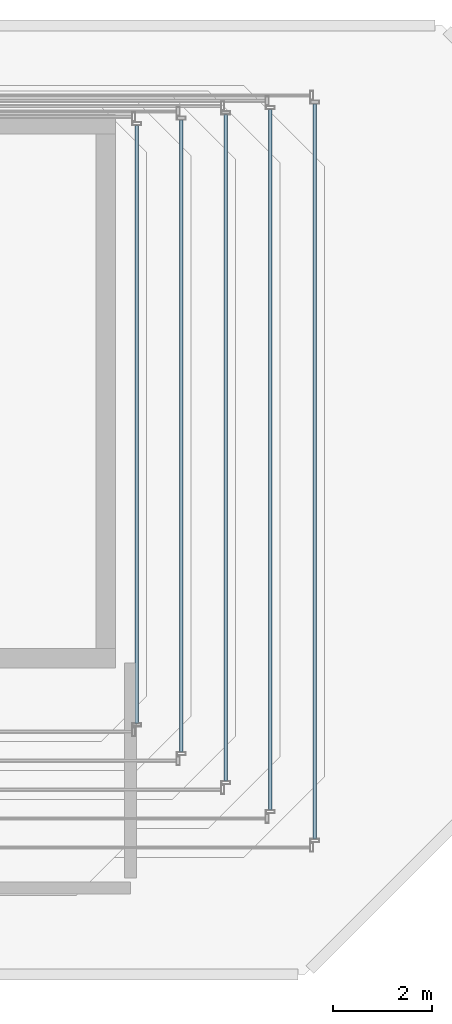
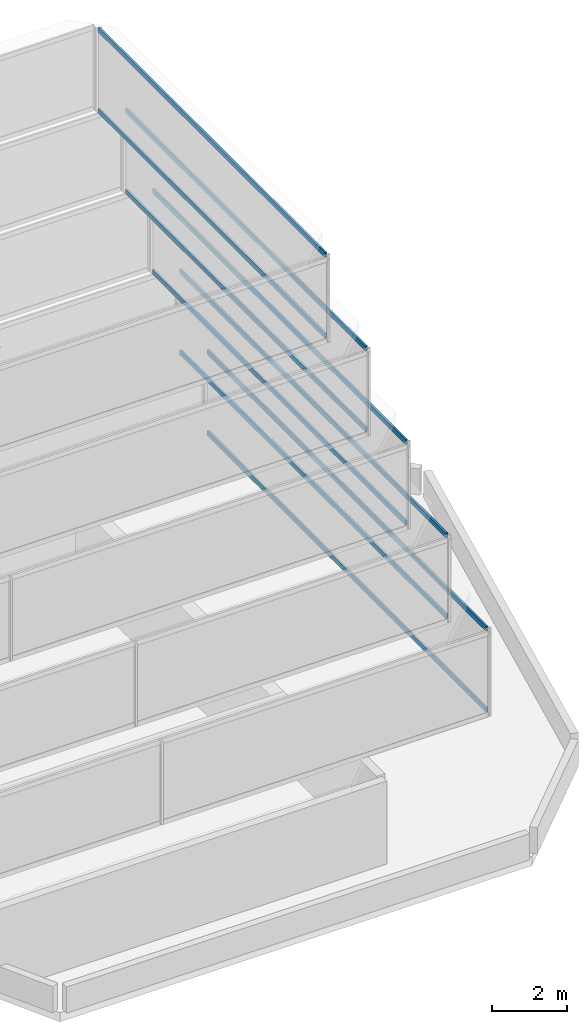
# One storey, part 23 of 29: 10 members, 5 elements without a shape of their own.
"""IFC4 building model written with IfcOpenShell, lengths in metres."""

from ifc_helpers import new_model, si_unit, direction, frame, origin, origin_2d, place, context, subcontext, project, spatial, hollow_rectangle, extrude, material, material_profile, profile_set, type_object, element, aggregate, save


model = new_model("IFC4")

# Units and contexts
model_context = context("Model", 3, precision=1e-05, world=origin(), true_north=direction((0.0, 1.0)))
body_context = subcontext(model_context, "Body", "Model", "MODEL_VIEW")
ifc_project = project(units=[si_unit("LENGTHUNIT", "METRE"), si_unit("AREAUNIT", "SQUARE_METRE"), si_unit("VOLUMEUNIT", "CUBIC_METRE"), si_unit("PLANEANGLEUNIT", "RADIAN"), si_unit("MASSUNIT", "GRAM", prefix="KILO")], contexts=[model_context])

# Site, building, storey
site_placement = place(None, origin())
site = spatial("IfcSite", under=ifc_project, at=site_placement, CompositionType="ELEMENT")
building_placement = place(site_placement, origin())
building = spatial("IfcBuilding", under=site, at=building_placement, Name="Saevonmaru Cultural Tower", CompositionType="ELEMENT")
storey_placement = place(building_placement, frame((0.0, 0.0, 327.60009765625)))
storey = spatial("IfcBuildingStorey", under=building, at=storey_placement, Name="RF", CompositionType="ELEMENT", Elevation=327.60009765625)

# Curtain wall, members
ifc_material = material(Name="Satin Bronze Anodised Aluminium", Category="aluminium")
curtain_wall_type = type_object("IfcCurtainWallType", Name="CW-TYP-B", PredefinedType="NOTDEFINED", material=ifc_material)
curtain_wall_1_placement = place(storey_placement, origin())
curtain_wall_1 = element("IfcCurtainWall", 1, at=curtain_wall_1_placement, inside=storey, type_object=curtain_wall_type, Name="RF Ziggurat Crown Tier 2 Bronze Louvre Screen 2", PredefinedType="NOTDEFINED")
ifc_material_profile = material_profile(ifc_material, hollow_rectangle(XDim=0.06494140625, YDim=0.14990234375, WallThickness=0.00390625, at=origin_2d()), Name="ALU-TRAN-150x65x4")
ifc_profile_set = profile_set([ifc_material_profile], Name="Satin Bronze Anodised Aluminium")
member_type = type_object("IfcMemberType", Name="TR-CW-150x65", PredefinedType="USERDEFINED", material=ifc_profile_set)
member_1_placement = place(storey_placement, frame((50.22705078125, 39.54248046875, 3.032470703125), z_axis=(0.0, 1.0, 0.0), x_axis=(-1.0, 0.0, 0.0)))
member_1 = element("IfcMember", 2, at=member_1_placement, type_object=member_type, Name="CW-CROWN-T2-2 transom 1.1", ObjectType="TRANSOM", PredefinedType="USERDEFINED", context=body_context, shape_type="SweptSolid", body=[
    extrude(hollow_rectangle(XDim=0.06494140625, YDim=0.14990234375, WallThickness=0.00390625, at=origin_2d()), origin(), (0.0, 0.0, 1.0), 14.869140625),
])
member_2_placement = place(storey_placement, frame((50.22705078125, 39.54248046875, 5.66748046875), z_axis=(0.0, 1.0, 0.0), x_axis=(-1.0, 0.0, 0.0)))
member_2 = element("IfcMember", 3, at=member_2_placement, type_object=member_type, Name="CW-CROWN-T2-2 transom 1.2", ObjectType="TRANSOM", PredefinedType="USERDEFINED", context=body_context, shape_type="SweptSolid", body=[
    extrude(hollow_rectangle(XDim=0.06494140625, YDim=0.14990234375, WallThickness=0.00390625, at=origin_2d()), origin(), (0.0, 0.0, 1.0), 14.869140625),
])
aggregate(curtain_wall_1, [member_1, member_2])

curtain_wall_2_placement = place(storey_placement, origin())
curtain_wall_2 = element("IfcCurtainWall", 4, at=curtain_wall_2_placement, inside=storey, type_object=curtain_wall_type, Name="RF Ziggurat Crown Tier 3 Bronze Louvre Screen 2", PredefinedType="NOTDEFINED")
member_3_placement = place(storey_placement, frame((49.326904296875, 40.12744140625, 6.032470703125), z_axis=(0.0, 1.0, 0.0), x_axis=(-1.0, 0.0, 0.0)))
member_3 = element("IfcMember", 5, at=member_3_placement, type_object=member_type, Name="CW-CROWN-T3-2 transom 1.1", ObjectType="TRANSOM", PredefinedType="USERDEFINED", context=body_context, shape_type="SweptSolid", body=[
    extrude(hollow_rectangle(XDim=0.06494140625, YDim=0.14990234375, WallThickness=0.00390625, at=origin_2d()), origin(), (0.0, 0.0, 1.0), 14.176025390625),
])
member_4_placement = place(storey_placement, frame((49.326904296875, 40.12744140625, 8.66748046875), z_axis=(0.0, 1.0, 0.0), x_axis=(-1.0, 0.0, 0.0)))
member_4 = element("IfcMember", 6, at=member_4_placement, type_object=member_type, Name="CW-CROWN-T3-2 transom 1.2", ObjectType="TRANSOM", PredefinedType="USERDEFINED", context=body_context, shape_type="SweptSolid", body=[
    extrude(hollow_rectangle(XDim=0.06494140625, YDim=0.14990234375, WallThickness=0.00390625, at=origin_2d()), origin(), (0.0, 0.0, 1.0), 14.176025390625),
])
aggregate(curtain_wall_2, [member_3, member_4])

curtain_wall_3_placement = place(storey_placement, origin())
curtain_wall_3 = element("IfcCurtainWall", 7, at=curtain_wall_3_placement, inside=storey, type_object=curtain_wall_type, Name="RF Ziggurat Crown Tier 4 Bronze Louvre Screen 2", PredefinedType="NOTDEFINED")
member_5_placement = place(storey_placement, frame((48.427001953125, 40.71240234375, 9.032470703125), z_axis=(0.0, 1.0, 0.0), x_axis=(-1.0, 0.0, 0.0)))
member_5 = element("IfcMember", 8, at=member_5_placement, type_object=member_type, Name="CW-CROWN-T4-2 transom 1.1", ObjectType="TRANSOM", PredefinedType="USERDEFINED", context=body_context, shape_type="SweptSolid", body=[
    extrude(hollow_rectangle(XDim=0.06494140625, YDim=0.14990234375, WallThickness=0.00390625, at=origin_2d()), origin(), (0.0, 0.0, 1.0), 13.483154296875),
])
member_6_placement = place(storey_placement, frame((48.427001953125, 40.71240234375, 11.66748046875), z_axis=(0.0, 1.0, 0.0), x_axis=(-1.0, 0.0, 0.0)))
member_6 = element("IfcMember", 9, at=member_6_placement, type_object=member_type, Name="CW-CROWN-T4-2 transom 1.2", ObjectType="TRANSOM", PredefinedType="USERDEFINED", context=body_context, shape_type="SweptSolid", body=[
    extrude(hollow_rectangle(XDim=0.06494140625, YDim=0.14990234375, WallThickness=0.00390625, at=origin_2d()), origin(), (0.0, 0.0, 1.0), 13.483154296875),
])
aggregate(curtain_wall_3, [member_5, member_6])

curtain_wall_4_placement = place(storey_placement, origin())
curtain_wall_4 = element("IfcCurtainWall", 10, at=curtain_wall_4_placement, inside=storey, type_object=curtain_wall_type, Name="RF Ziggurat Crown Tier 5 Bronze Louvre Screen 2", PredefinedType="NOTDEFINED")
member_7_placement = place(storey_placement, frame((47.527099609375, 41.297607421875, 12.032470703125), z_axis=(0.0, 1.0, 0.0), x_axis=(-1.0, 0.0, 0.0)))
member_7 = element("IfcMember", 11, at=member_7_placement, type_object=member_type, Name="CW-CROWN-T5-2 transom 1.1", ObjectType="TRANSOM", PredefinedType="USERDEFINED", context=body_context, shape_type="SweptSolid", body=[
    extrude(hollow_rectangle(XDim=0.06494140625, YDim=0.14990234375, WallThickness=0.00390625, at=origin_2d()), origin(), (0.0, 0.0, 1.0), 12.789794921875),
])
member_8_placement = place(storey_placement, frame((47.527099609375, 41.297607421875, 14.66748046875), z_axis=(0.0, 1.0, 0.0), x_axis=(-1.0, 0.0, 0.0)))
member_8 = element("IfcMember", 12, at=member_8_placement, type_object=member_type, Name="CW-CROWN-T5-2 transom 1.2", ObjectType="TRANSOM", PredefinedType="USERDEFINED", context=body_context, shape_type="SweptSolid", body=[
    extrude(hollow_rectangle(XDim=0.06494140625, YDim=0.14990234375, WallThickness=0.00390625, at=origin_2d()), origin(), (0.0, 0.0, 1.0), 12.789794921875),
])
aggregate(curtain_wall_4, [member_7, member_8])

curtain_wall_5_placement = place(storey_placement, origin())
curtain_wall_5 = element("IfcCurtainWall", 13, at=curtain_wall_5_placement, inside=storey, type_object=curtain_wall_type, Name="RF Ziggurat Crown Tier 6 Bronze Louvre Screen 2", PredefinedType="NOTDEFINED")
member_9_placement = place(storey_placement, frame((46.626953125, 41.882568359375, 15.032470703125), z_axis=(0.0, 1.0, 0.0), x_axis=(-1.0, 0.0, 0.0)))
member_9 = element("IfcMember", 14, at=member_9_placement, type_object=member_type, Name="CW-CROWN-T6-2 transom 1.1", ObjectType="TRANSOM", PredefinedType="USERDEFINED", context=body_context, shape_type="SweptSolid", body=[
    extrude(hollow_rectangle(XDim=0.06494140625, YDim=0.14990234375, WallThickness=0.00390625, at=origin_2d()), origin(), (0.0, 0.0, 1.0), 12.096923828125),
])
member_10_placement = place(storey_placement, frame((46.626953125, 41.882568359375, 17.66748046875), z_axis=(0.0, 1.0, 0.0), x_axis=(-1.0, 0.0, 0.0)))
member_10 = element("IfcMember", 15, at=member_10_placement, type_object=member_type, Name="CW-CROWN-T6-2 transom 1.2", ObjectType="TRANSOM", PredefinedType="USERDEFINED", context=body_context, shape_type="SweptSolid", body=[
    extrude(hollow_rectangle(XDim=0.06494140625, YDim=0.14990234375, WallThickness=0.00390625, at=origin_2d()), origin(), (0.0, 0.0, 1.0), 12.096923828125),
])
aggregate(curtain_wall_5, [member_9, member_10])

save(model, "model.ifc")
